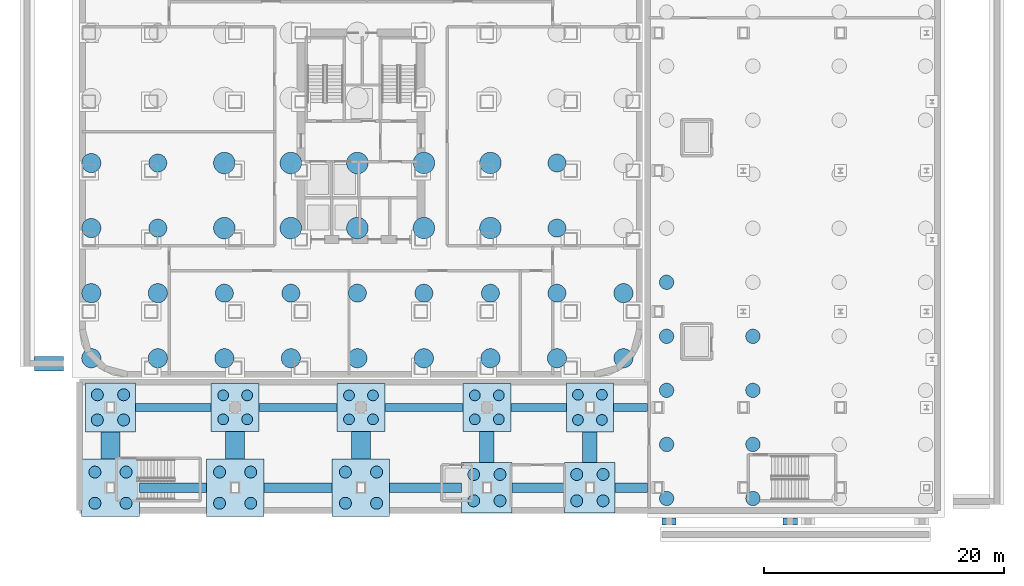
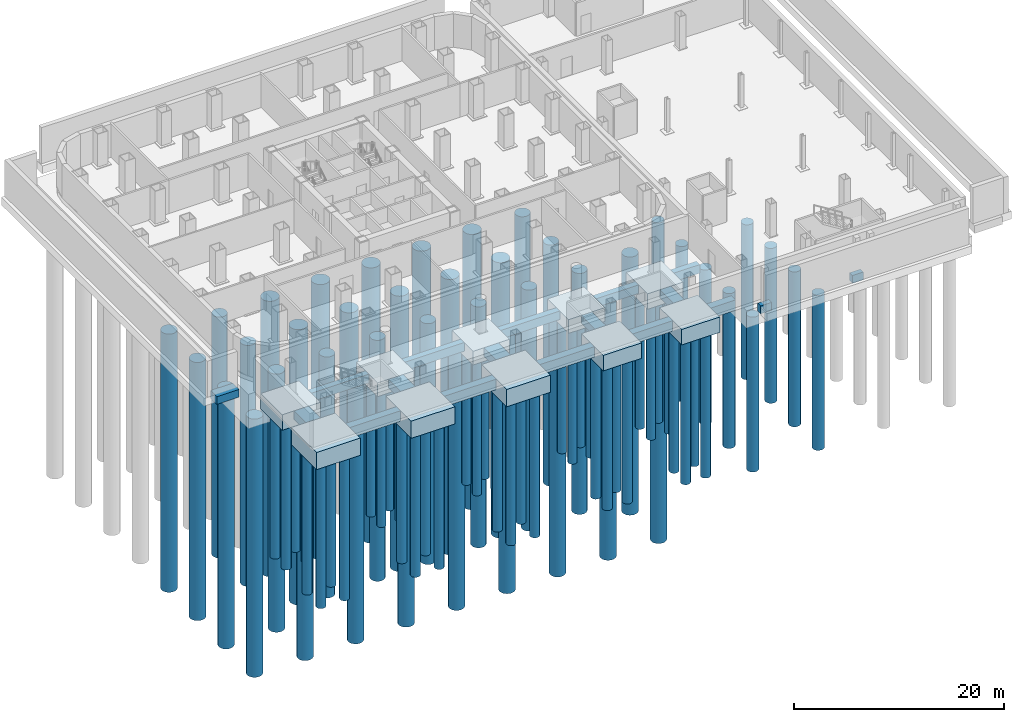
# One storey, part 1 of 16: 83 piles, 28 footings.
"""IFC4 building model written with IfcOpenShell, lengths in metres."""

from ifc_helpers import new_model, si_unit, direction, frame, origin, origin_2d, place, context, subcontext, project, spatial, rectangle, circle, extrude, source, transform, mapped, material, layer, layer_set, material_profile, profile_set, type_object, element, save


model = new_model("IFC4")

# Units and contexts
model_context = context("Model", 3, precision=1e-05, world=origin(), true_north=direction((0.0, 1.0)))
body_context = subcontext(model_context, "Body", "Model", "MODEL_VIEW")
ifc_project = project(units=[si_unit("LENGTHUNIT", "METRE"), si_unit("AREAUNIT", "SQUARE_METRE"), si_unit("VOLUMEUNIT", "CUBIC_METRE"), si_unit("PLANEANGLEUNIT", "RADIAN"), si_unit("MASSUNIT", "GRAM", prefix="KILO")], contexts=[model_context])

# Site, building, storey
site_placement = place(None, origin())
site = spatial("IfcSite", under=ifc_project, at=site_placement, CompositionType="ELEMENT")
building_placement = place(site_placement, origin())
building = spatial("IfcBuilding", under=site, at=building_placement, Name="Kolveth Station Tower", CompositionType="ELEMENT")
storey_placement = place(building_placement, frame((0.0, 0.0, -8.39990234375)))
storey = spatial("IfcBuildingStorey", under=building, at=storey_placement, Name="B2", CompositionType="ELEMENT", Elevation=-8.39990234375)

# Piles
ifc_material_1 = material(Name="Concrete C50/60", Category="concrete")
ifc_material_profile_1 = material_profile(ifc_material_1, circle(Radius=0.800048828125, at=origin_2d()), Name="PILE-D1600")
ifc_profile_set_1 = profile_set([ifc_material_profile_1], Name="Concrete C50/60")
pile_type_1 = type_object("IfcPileType", Name="BoredPile_P2", PredefinedType="BORED", material=ifc_profile_set_1)
shared_shape_1 = source(origin(), body_context, "Body", "SweptSolid", [
    extrude(circle(Radius=0.800048828125, at=origin_2d()), origin(), (0.0, 0.0, 1.0), 30.0),
])
for number, where, z_axis, x_axis, name in (
    (1, (1.0, 1.60009765625, -4.35009765625), (0.0, 0.0, -1.0), (1.0, 0.0, 0.0), "Tower Bored Pile P2-001"),
    (2, (1.0, 7.029052734375, -4.35009765625), (0.0, 0.0, -1.0), (1.0, 0.0, 0.0), "Tower Bored Pile P2-002"),
    (3, (1.0, 12.45703125, -4.35009765625), (0.0, 0.0, -1.0), (1.0, 0.0, 0.0), "Tower Bored Pile P2-003"),
    (4, (1.0, 17.885986328125, -4.35009765625), (0.0, 0.0, -1.0), (1.0, 0.0, 0.0), "Tower Bored Pile P2-004"),
    (5, (6.550048828125, 1.60009765625, -4.35009765625), (0.0, 0.0, -1.0), (1.0, 0.0, 0.0), "Tower Bored Pile P2-009"),
    (6, (6.550048828125, 7.029052734375, -4.35009765625), (0.0, 0.0, -1.0), (1.0, 0.0, 0.0), "Tower Bored Pile P2-010"),
    (7, (12.10009765625, 1.60009765625, -4.35009765625), (0.0, 0.0, -1.0), (1.0, 0.0, 0.0), "Tower Bored Pile P2-017"),
    (8, (17.64990234375, 1.60009765625, -4.35009765625), (0.0, 0.0, -1.0), (1.0, 0.0, 0.0), "Tower Bored Pile P2-025"),
    (9, (23.199951171875, 1.60009765625, -4.35009765625), (0.0, 0.0, -1.0), (1.0, 0.0, 0.0), "Tower Bored Pile P2-033"),
    (10, (28.75, 1.60009765625, -4.35009765625), (0.0, 0.0, -1.0), (1.0, 0.0, 0.0), "Tower Bored Pile P2-041"),
    (11, (34.300048828125, 1.60009765625, -4.35009765625), (0.0, 0.0, -1.0), (1.0, 0.0, 0.0), "Tower Bored Pile P2-049"),
    (12, (39.85009765625, 1.60009765625, -4.35009765625), (0.0, 0.0, -1.0), (1.0, 0.0, 0.0), "Tower Bored Pile P2-057"),
    (13, (45.39990234375, 1.60009765625, -4.35009765625), (0.0, 0.0, -1.0), (1.0, 0.0, 0.0), "Tower Bored Pile P2-065"),
    (14, (45.39990234375, 7.029052734375, -4.35009765625), (0.0, 0.0, -1.0), (1.0, 0.0, 0.0), "Tower Bored Pile P2-066"),
):
    element("IfcPile", number, at=place(storey_placement, frame(where, z_axis=z_axis, x_axis=x_axis)), inside=storey, type_object=pile_type_1, Name=name, PredefinedType="BORED", context=body_context, shape_type="MappedRepresentation", body=[
        mapped(shared_shape_1, transform((0.0, 0.0, 0.0), x_axis=(1.0, 0.0, 0.0), y_axis=(0.0, 1.0, 0.0), z_axis=(0.0, 0.0, 1.0), scale=1.0)),
    ])
ifc_material_profile_2 = material_profile(ifc_material_1, circle(Radius=0.75, at=origin_2d()), Name="PILE-D1500")
ifc_profile_set_2 = profile_set([ifc_material_profile_2], Name="Concrete C50/60")
pile_type_2 = type_object("IfcPileType", Name="BoredPile_P3", PredefinedType="BORED", material=ifc_profile_set_2)
shared_shape_2 = source(origin(), body_context, "Body", "SweptSolid", [
    extrude(circle(Radius=0.75, at=origin_2d()), origin(), (0.0, 0.0, 1.0), 28.0),
])
for number, where, z_axis, x_axis, name in (
    (15, (6.550048828125, 12.45703125, -4.35009765625), (0.0, 0.0, -1.0), (1.0, 0.0, 0.0), "Tower Bored Pile P3-011"),
    (16, (6.550048828125, 17.885986328125, -4.35009765625), (0.0, 0.0, -1.0), (1.0, 0.0, 0.0), "Tower Bored Pile P3-012"),
    (17, (12.10009765625, 7.029052734375, -4.35009765625), (0.0, 0.0, -1.0), (1.0, 0.0, 0.0), "Tower Bored Pile P3-018"),
    (18, (17.64990234375, 7.029052734375, -4.35009765625), (0.0, 0.0, -1.0), (1.0, 0.0, 0.0), "Tower Bored Pile P3-026"),
    (19, (23.199951171875, 7.029052734375, -4.35009765625), (0.0, 0.0, -1.0), (1.0, 0.0, 0.0), "Tower Bored Pile P3-034"),
    (20, (28.75, 7.029052734375, -4.35009765625), (0.0, 0.0, -1.0), (1.0, 0.0, 0.0), "Tower Bored Pile P3-042"),
    (21, (34.300048828125, 7.029052734375, -4.35009765625), (0.0, 0.0, -1.0), (1.0, 0.0, 0.0), "Tower Bored Pile P3-050"),
    (22, (39.85009765625, 7.029052734375, -4.35009765625), (0.0, 0.0, -1.0), (1.0, 0.0, 0.0), "Tower Bored Pile P3-058"),
    (23, (39.85009765625, 12.45703125, -4.35009765625), (0.0, 0.0, -1.0), (1.0, 0.0, 0.0), "Tower Bored Pile P3-059"),
    (24, (39.85009765625, 17.885986328125, -4.35009765625), (0.0, 0.0, -1.0), (1.0, 0.0, 0.0), "Tower Bored Pile P3-060"),
):
    element("IfcPile", number, at=place(storey_placement, frame(where, z_axis=z_axis, x_axis=x_axis)), inside=storey, type_object=pile_type_2, Name=name, PredefinedType="BORED", context=body_context, shape_type="MappedRepresentation", body=[
        mapped(shared_shape_2, transform((0.0, 0.0, 0.0), x_axis=(1.0, 0.0, 0.0), y_axis=(0.0, 1.0, 0.0), z_axis=(0.0, 0.0, 1.0), scale=1.0)),
    ])
ifc_material_profile_3 = material_profile(ifc_material_1, circle(Radius=0.89990234375, at=origin_2d()), Name="PILE-D1800")
ifc_profile_set_3 = profile_set([ifc_material_profile_3], Name="Concrete C50/60")
pile_type_3 = type_object("IfcPileType", Name="BoredPile_P1", PredefinedType="BORED", material=ifc_profile_set_3)
shared_shape_3 = source(origin(), body_context, "Body", "SweptSolid", [
    extrude(circle(Radius=0.89990234375, at=origin_2d()), origin(), (0.0, 0.0, 1.0), 32.0),
])
for number, where, z_axis, x_axis, name in (
    (25, (12.10009765625, 12.45703125, -4.35009765625), (0.0, 0.0, -1.0), (1.0, 0.0, 0.0), "Tower Bored Pile P1-019"),
    (26, (12.10009765625, 17.885986328125, -4.35009765625), (0.0, 0.0, -1.0), (1.0, 0.0, 0.0), "Tower Bored Pile P1-020"),
    (27, (17.64990234375, 12.45703125, -4.35009765625), (0.0, 0.0, -1.0), (1.0, 0.0, 0.0), "Tower Bored Pile P1-027"),
    (28, (17.64990234375, 17.885986328125, -4.35009765625), (0.0, 0.0, -1.0), (1.0, 0.0, 0.0), "Tower Bored Pile P1-028"),
    (29, (23.199951171875, 12.45703125, -4.35009765625), (0.0, 0.0, -1.0), (1.0, 0.0, 0.0), "Tower Bored Pile P1-035"),
    (30, (23.199951171875, 17.885986328125, -4.35009765625), (0.0, 0.0, -1.0), (1.0, 0.0, 0.0), "Tower Bored Pile P1-036"),
    (31, (28.75, 12.45703125, -4.35009765625), (0.0, 0.0, -1.0), (1.0, 0.0, 0.0), "Tower Bored Pile P1-043"),
    (32, (28.75, 17.885986328125, -4.35009765625), (0.0, 0.0, -1.0), (1.0, 0.0, 0.0), "Tower Bored Pile P1-044"),
    (33, (34.300048828125, 12.45703125, -4.35009765625), (0.0, 0.0, -1.0), (1.0, 0.0, 0.0), "Tower Bored Pile P1-051"),
    (34, (34.300048828125, 17.885986328125, -4.35009765625), (0.0, 0.0, -1.0), (1.0, 0.0, 0.0), "Tower Bored Pile P1-052"),
):
    element("IfcPile", number, at=place(storey_placement, frame(where, z_axis=z_axis, x_axis=x_axis)), inside=storey, type_object=pile_type_3, Name=name, PredefinedType="BORED", context=body_context, shape_type="MappedRepresentation", body=[
        mapped(shared_shape_3, transform((0.0, 0.0, 0.0), x_axis=(1.0, 0.0, 0.0), y_axis=(0.0, 1.0, 0.0), z_axis=(0.0, 0.0, 1.0), scale=1.0)),
    ])
ifc_material_2 = material(Name="Concrete C45/55", Category="concrete")
ifc_material_profile_4 = material_profile(ifc_material_2, circle(Radius=0.60009765625, at=origin_2d()), Name="PILE-D1200")
ifc_profile_set_4 = profile_set([ifc_material_profile_4], Name="Concrete C45/55")
pile_type_4 = type_object("IfcPileType", Name="BoredPile_P4", PredefinedType="BORED", material=ifc_profile_set_4)
shared_shape_4 = source(origin(), body_context, "Body", "SweptSolid", [
    extrude(circle(Radius=0.60009765625, at=origin_2d()), origin(), (0.0, 0.0, 1.0), 18.0),
])
for number, where, z_axis, x_axis, name in (
    (35, (49.0, -10.10009765625, -2.35009765625), (0.0, 0.0, -1.0), (1.0, 0.0, 0.0), "Station Raft Pile P4-001"),
    (36, (49.0, -5.591064453125, -2.35009765625), (0.0, 0.0, -1.0), (1.0, 0.0, 0.0), "Station Raft Pile P4-002"),
    (37, (49.0, -1.08203125, -2.35009765625), (0.0, 0.0, -1.0), (1.0, 0.0, 0.0), "Station Raft Pile P4-003"),
    (38, (49.0, 3.427001953125, -2.35009765625), (0.0, 0.0, -1.0), (1.0, 0.0, 0.0), "Station Raft Pile P4-004"),
    (39, (49.0, 7.93603515625, -2.35009765625), (0.0, 0.0, -1.0), (1.0, 0.0, 0.0), "Station Raft Pile P4-005"),
    (40, (56.199951171875, -10.10009765625, -2.35009765625), (0.0, 0.0, -1.0), (1.0, 0.0, 0.0), "Station Raft Pile P4-013"),
    (41, (56.199951171875, -5.591064453125, -2.35009765625), (0.0, 0.0, -1.0), (1.0, 0.0, 0.0), "Station Raft Pile P4-014"),
    (42, (56.199951171875, -1.08203125, -2.35009765625), (0.0, 0.0, -1.0), (1.0, 0.0, 0.0), "Station Raft Pile P4-015"),
    (43, (56.199951171875, 3.427001953125, -2.35009765625), (0.0, 0.0, -1.0), (1.0, 0.0, 0.0), "Station Raft Pile P4-016"),
):
    element("IfcPile", number, at=place(storey_placement, frame(where, z_axis=z_axis, x_axis=x_axis)), inside=storey, type_object=pile_type_4, Name=name, PredefinedType="BORED", context=body_context, shape_type="MappedRepresentation", body=[
        mapped(shared_shape_4, transform((0.0, 0.0, 0.0), x_axis=(1.0, 0.0, 0.0), y_axis=(0.0, 1.0, 0.0), z_axis=(0.0, 0.0, 1.0), scale=1.0)),
    ])

# Footings
ifc_layer_1 = layer(ifc_material_2, 2.0)
ifc_layer_set_1 = layer_set([ifc_layer_1], Name="Concrete C45/55")
footing_type_1 = type_object("IfcFootingType", Name="Footing_PC1", PredefinedType="PILE_CAP", material=ifc_layer_set_1)
shared_shape_5 = source(origin(), body_context, "Body", "SweptSolid", [
    extrude(rectangle(XDim=4.800048828125, YDim=4.800048828125, at=origin_2d()), origin(), (0.0, 0.0, 1.0), 2.0),
])
for number, where, z_axis, x_axis, name in (
    (44, (2.60009765625, -9.199951171875, -2.5), (0.0, 0.0, 1.0), (1.0, 0.0, 0.0), "Station Pile Cap FTG-PC1-1"),
    (45, (13.0, -9.199951171875, -2.5), (0.0, 0.0, 1.0), (1.0, 0.0, 0.0), "Station Pile Cap FTG-PC1-2"),
    (46, (23.5, -9.199951171875, -2.5), (0.0, 0.0, 1.0), (1.0, 0.0, 0.0), "Station Pile Cap FTG-PC1-3"),
):
    element("IfcFooting", number, at=place(storey_placement, frame(where, z_axis=z_axis, x_axis=x_axis)), inside=storey, type_object=footing_type_1, Name=name, PredefinedType="PILE_CAP", context=body_context, shape_type="MappedRepresentation", body=[
        mapped(shared_shape_5, transform((0.0, 0.0, 0.0), x_axis=(1.0, 0.0, 0.0), y_axis=(0.0, 1.0, 0.0), z_axis=(0.0, 0.0, 1.0), scale=1.0)),
    ])

# Piles
ifc_material_profile_5 = material_profile(ifc_material_2, circle(Radius=0.5, at=origin_2d()), Name="PILE-D1000")
ifc_profile_set_5 = profile_set([ifc_material_profile_5], Name="Concrete C45/55")
pile_type_5 = type_object("IfcPileType", Name="BoredPile_P5", PredefinedType="BORED", material=ifc_profile_set_5)
shared_shape_6 = source(origin(), body_context, "Body", "SweptSolid", [
    extrude(circle(Radius=0.5, at=origin_2d()), origin(), (0.0, 0.0, 1.0), 17.0),
])
for number, where, z_axis, x_axis, name in (
    (47, (1.300048828125, -10.5, -2.35009765625), (0.0, 0.0, -1.0), (1.0, 0.0, 0.0), "Station Cap Pile P5-001"),
    (48, (3.89990234375, -10.5, -2.35009765625), (0.0, 0.0, -1.0), (1.0, 0.0, 0.0), "Station Cap Pile P5-002"),
    (49, (1.300048828125, -7.89990234375, -2.35009765625), (0.0, 0.0, -1.0), (1.0, 0.0, 0.0), "Station Cap Pile P5-003"),
    (50, (3.89990234375, -7.89990234375, -2.35009765625), (0.0, 0.0, -1.0), (1.0, 0.0, 0.0), "Station Cap Pile P5-004"),
    (51, (11.699951171875, -10.5, -2.35009765625), (0.0, 0.0, -1.0), (1.0, 0.0, 0.0), "Station Cap Pile P5-005"),
    (52, (14.300048828125, -10.5, -2.35009765625), (0.0, 0.0, -1.0), (1.0, 0.0, 0.0), "Station Cap Pile P5-006"),
    (53, (11.699951171875, -7.89990234375, -2.35009765625), (0.0, 0.0, -1.0), (1.0, 0.0, 0.0), "Station Cap Pile P5-007"),
    (54, (14.300048828125, -7.89990234375, -2.35009765625), (0.0, 0.0, -1.0), (1.0, 0.0, 0.0), "Station Cap Pile P5-008"),
    (55, (22.199951171875, -10.5, -2.35009765625), (0.0, 0.0, -1.0), (1.0, 0.0, 0.0), "Station Cap Pile P5-009"),
    (56, (24.800048828125, -10.5, -2.35009765625), (0.0, 0.0, -1.0), (1.0, 0.0, 0.0), "Station Cap Pile P5-010"),
    (57, (22.199951171875, -7.89990234375, -2.35009765625), (0.0, 0.0, -1.0), (1.0, 0.0, 0.0), "Station Cap Pile P5-011"),
    (58, (24.800048828125, -7.89990234375, -2.35009765625), (0.0, 0.0, -1.0), (1.0, 0.0, 0.0), "Station Cap Pile P5-012"),
    (59, (32.89990234375, -10.300048828125, -2.150146484375), (0.0, 0.0, -1.0), (1.0, 0.0, 0.0), "Station Cap Pile P5-013"),
    (60, (35.10009765625, -10.300048828125, -2.150146484375), (0.0, 0.0, -1.0), (1.0, 0.0, 0.0), "Station Cap Pile P5-014"),
    (61, (32.89990234375, -8.10009765625, -2.150146484375), (0.0, 0.0, -1.0), (1.0, 0.0, 0.0), "Station Cap Pile P5-015"),
    (62, (35.10009765625, -8.10009765625, -2.150146484375), (0.0, 0.0, -1.0), (1.0, 0.0, 0.0), "Station Cap Pile P5-016"),
    (63, (41.5, -10.300048828125, -2.150146484375), (0.0, 0.0, -1.0), (1.0, 0.0, 0.0), "Station Cap Pile P5-017"),
    (64, (43.699951171875, -10.300048828125, -2.150146484375), (0.0, 0.0, -1.0), (1.0, 0.0, 0.0), "Station Cap Pile P5-018"),
    (65, (41.5, -8.10009765625, -2.150146484375), (0.0, 0.0, -1.0), (1.0, 0.0, 0.0), "Station Cap Pile P5-019"),
    (66, (43.699951171875, -8.10009765625, -2.150146484375), (0.0, 0.0, -1.0), (1.0, 0.0, 0.0), "Station Cap Pile P5-020"),
    (67, (1.5, -3.550048828125, -2.150146484375), (0.0, 0.0, -1.0), (1.0, 0.0, 0.0), "Station Cap Pile P5-021"),
    (68, (3.699951171875, -3.550048828125, -2.150146484375), (0.0, 0.0, -1.0), (1.0, 0.0, 0.0), "Station Cap Pile P5-022"),
    (69, (1.5, -1.449951171875, -2.150146484375), (0.0, 0.0, -1.0), (1.0, 0.0, 0.0), "Station Cap Pile P5-023"),
    (70, (3.699951171875, -1.449951171875, -2.150146484375), (0.0, 0.0, -1.0), (1.0, 0.0, 0.0), "Station Cap Pile P5-024"),
):
    element("IfcPile", number, at=place(storey_placement, frame(where, z_axis=z_axis, x_axis=x_axis)), inside=storey, type_object=pile_type_5, Name=name, PredefinedType="BORED", context=body_context, shape_type="MappedRepresentation", body=[
        mapped(shared_shape_6, transform((0.0, 0.0, 0.0), x_axis=(1.0, 0.0, 0.0), y_axis=(0.0, 1.0, 0.0), z_axis=(0.0, 0.0, 1.0), scale=1.0)),
    ])

# Footings
ifc_layer_2 = layer(ifc_material_2, 1.800048828125)
ifc_layer_set_2 = layer_set([ifc_layer_2], Name="Concrete C45/55")
footing_type_2 = type_object("IfcFootingType", Name="Footing_PC2", PredefinedType="PILE_CAP", material=ifc_layer_set_2)
shared_shape_7 = source(origin(), body_context, "Body", "SweptSolid", [
    extrude(rectangle(XDim=4.199951171875, YDim=4.199951171875, at=origin_2d()), origin(), (0.0, 0.0, 1.0), 1.800048828125),
])
for number, where, z_axis, x_axis, name in (
    (71, (34.0, -9.199951171875, -2.30029296875), (0.0, 0.0, 1.0), (1.0, 0.0, 0.0), "Station Pile Cap FTG-PC2-1"),
    (72, (42.60009765625, -9.199951171875, -2.30029296875), (0.0, 0.0, 1.0), (1.0, 0.0, 0.0), "Station Pile Cap FTG-PC2-2"),
):
    element("IfcFooting", number, at=place(storey_placement, frame(where, z_axis=z_axis, x_axis=x_axis)), inside=storey, type_object=footing_type_2, Name=name, PredefinedType="PILE_CAP", context=body_context, shape_type="MappedRepresentation", body=[
        mapped(shared_shape_7, transform((0.0, 0.0, 0.0), x_axis=(1.0, 0.0, 0.0), y_axis=(0.0, 1.0, 0.0), z_axis=(0.0, 0.0, 1.0), scale=1.0)),
    ])
shared_shape_8 = source(origin(), body_context, "Body", "SweptSolid", [
    extrude(rectangle(XDim=4.199951171875, YDim=4.10009765625, at=origin_2d()), origin(), (0.0, 0.0, 1.0), 1.800048828125),
])
footing_1_placement = place(storey_placement, frame((2.60009765625, -2.5, -2.30029296875), z_axis=(0.0, 0.0, 1.0), x_axis=(1.0, 0.0, 0.0)))
element("IfcFooting", 73, at=footing_1_placement, inside=storey, type_object=footing_type_2, Name="Station Pile Cap FTG-PC2-3", PredefinedType="PILE_CAP", context=body_context, shape_type="MappedRepresentation", body=[
    mapped(shared_shape_8, transform((0.0, 0.0, 0.0), x_axis=(1.0, 0.0, 0.0), y_axis=(0.0, 1.0, 0.0), z_axis=(0.0, 0.0, 1.0), scale=1.0)),
])
ifc_layer_3 = layer(ifc_material_2, 1.60009765625)
ifc_layer_set_3 = layer_set([ifc_layer_3], Name="Concrete C45/55")
footing_type_3 = type_object("IfcFootingType", Name="Footing_PC3", PredefinedType="PILE_CAP", material=ifc_layer_set_3)
shared_shape_9 = source(origin(), body_context, "Body", "SweptSolid", [
    extrude(rectangle(XDim=4.0, YDim=4.0, at=origin_2d()), origin(), (0.0, 0.0, 1.0), 1.60009765625),
])
for number, where, z_axis, x_axis, name in (
    (74, (13.0, -2.5, -2.10009765625), (0.0, 0.0, 1.0), (1.0, 0.0, 0.0), "Station Pile Cap FTG-PC3-1"),
    (75, (23.5, -2.5, -2.10009765625), (0.0, 0.0, 1.0), (1.0, 0.0, 0.0), "Station Pile Cap FTG-PC3-2"),
    (76, (34.0, -2.5, -2.10009765625), (0.0, 0.0, 1.0), (1.0, 0.0, 0.0), "Station Pile Cap FTG-PC3-3"),
):
    element("IfcFooting", number, at=place(storey_placement, frame(where, z_axis=z_axis, x_axis=x_axis)), inside=storey, type_object=footing_type_3, Name=name, PredefinedType="PILE_CAP", context=body_context, shape_type="MappedRepresentation", body=[
        mapped(shared_shape_9, transform((0.0, 0.0, 0.0), x_axis=(1.0, 0.0, 0.0), y_axis=(0.0, 1.0, 0.0), z_axis=(0.0, 0.0, 1.0), scale=1.0)),
    ])

# Piles
ifc_material_profile_6 = material_profile(ifc_material_2, circle(Radius=0.449951171875, at=origin_2d()), Name="PILE-D900")
ifc_profile_set_6 = profile_set([ifc_material_profile_6], Name="Concrete C45/55")
pile_type_6 = type_object("IfcPileType", Name="BoredPile_P6", PredefinedType="BORED", material=ifc_profile_set_6)
shared_shape_10 = source(origin(), body_context, "Body", "SweptSolid", [
    extrude(circle(Radius=0.449951171875, at=origin_2d()), origin(), (0.0, 0.0, 1.0), 16.0),
])
for number, where, z_axis, x_axis, name in (
    (77, (12.0, -3.5, -1.9501953125), (0.0, 0.0, -1.0), (1.0, 0.0, 0.0), "Station Cap Pile P6-025"),
    (78, (14.0, -3.5, -1.9501953125), (0.0, 0.0, -1.0), (1.0, 0.0, 0.0), "Station Cap Pile P6-026"),
    (79, (12.0, -1.5, -1.9501953125), (0.0, 0.0, -1.0), (1.0, 0.0, 0.0), "Station Cap Pile P6-027"),
    (80, (14.0, -1.5, -1.9501953125), (0.0, 0.0, -1.0), (1.0, 0.0, 0.0), "Station Cap Pile P6-028"),
    (81, (22.5, -3.5, -1.9501953125), (0.0, 0.0, -1.0), (1.0, 0.0, 0.0), "Station Cap Pile P6-029"),
    (82, (24.5, -3.5, -1.9501953125), (0.0, 0.0, -1.0), (1.0, 0.0, 0.0), "Station Cap Pile P6-030"),
    (83, (22.5, -1.5, -1.9501953125), (0.0, 0.0, -1.0), (1.0, 0.0, 0.0), "Station Cap Pile P6-031"),
    (84, (24.5, -1.5, -1.9501953125), (0.0, 0.0, -1.0), (1.0, 0.0, 0.0), "Station Cap Pile P6-032"),
    (85, (33.0, -3.5, -1.9501953125), (0.0, 0.0, -1.0), (1.0, 0.0, 0.0), "Station Cap Pile P6-033"),
    (86, (35.0, -3.5, -1.9501953125), (0.0, 0.0, -1.0), (1.0, 0.0, 0.0), "Station Cap Pile P6-034"),
    (87, (33.0, -1.5, -1.9501953125), (0.0, 0.0, -1.0), (1.0, 0.0, 0.0), "Station Cap Pile P6-035"),
    (88, (35.0, -1.5, -1.9501953125), (0.0, 0.0, -1.0), (1.0, 0.0, 0.0), "Station Cap Pile P6-036"),
    (89, (41.60009765625, -3.550048828125, -2.150146484375), (0.0, 0.0, -1.0), (1.0, 0.0, 0.0), "Station Cap Pile P6-037"),
    (90, (43.60009765625, -3.550048828125, -2.150146484375), (0.0, 0.0, -1.0), (1.0, 0.0, 0.0), "Station Cap Pile P6-038"),
    (91, (41.60009765625, -1.449951171875, -2.150146484375), (0.0, 0.0, -1.0), (1.0, 0.0, 0.0), "Station Cap Pile P6-039"),
    (92, (43.60009765625, -1.449951171875, -2.150146484375), (0.0, 0.0, -1.0), (1.0, 0.0, 0.0), "Station Cap Pile P6-040"),
):
    element("IfcPile", number, at=place(storey_placement, frame(where, z_axis=z_axis, x_axis=x_axis)), inside=storey, type_object=pile_type_6, Name=name, PredefinedType="BORED", context=body_context, shape_type="MappedRepresentation", body=[
        mapped(shared_shape_10, transform((0.0, 0.0, 0.0), x_axis=(1.0, 0.0, 0.0), y_axis=(0.0, 1.0, 0.0), z_axis=(0.0, 0.0, 1.0), scale=1.0)),
    ])

# Footings
ifc_layer_4 = layer(ifc_material_2, 1.800048828125)
ifc_layer_set_4 = layer_set([ifc_layer_4], Name="Concrete C45/55")
footing_type_4 = type_object("IfcFootingType", Name="Footing_PC4", PredefinedType="PILE_CAP", material=ifc_layer_set_4)
shared_shape_11 = source(origin(), body_context, "Body", "SweptSolid", [
    extrude(rectangle(XDim=3.89990234375, YDim=4.10009765625, at=origin_2d()), origin(), (0.0, 0.0, 1.0), 1.800048828125),
])
footing_2_placement = place(storey_placement, frame((42.60009765625, -2.5, -2.30029296875), z_axis=(0.0, 0.0, 1.0), x_axis=(1.0, 0.0, 0.0)))
element("IfcFooting", 93, at=footing_2_placement, inside=storey, type_object=footing_type_4, Name="Station Pile Cap FTG-PC4-1", PredefinedType="PILE_CAP", context=body_context, shape_type="MappedRepresentation", body=[
    mapped(shared_shape_11, transform((0.0, 0.0, 0.0), x_axis=(1.0, 0.0, 0.0), y_axis=(0.0, 1.0, 0.0), z_axis=(0.0, 0.0, 1.0), scale=1.0)),
])
ifc_material_profile_7 = material_profile(ifc_material_2, rectangle(XDim=0.800048828125, YDim=1.199951171875, at=origin_2d()), Name="RC-800x1200")
ifc_profile_set_7 = profile_set([ifc_material_profile_7], Name="Concrete C45/55")
footing_type_5 = type_object("IfcFootingType", Name="Footing_GB1", PredefinedType="FOOTING_BEAM", material=ifc_profile_set_7)
shared_shape_12 = source(origin(), body_context, "Body", "SweptSolid", [
    extrude(rectangle(XDim=0.800048828125, YDim=1.199951171875, at=origin_2d()), origin(), (0.0, 0.0, 1.0), 5.60009765625),
])
footing_3_placement = place(storey_placement, frame((5.0, -9.199951171875, -1.10009765625), z_axis=(1.0, 0.0, 0.0), x_axis=(0.0, 1.0, 0.0)))
element("IfcFooting", 94, at=footing_3_placement, inside=storey, type_object=footing_type_5, Name="Station Grade Beam R0-1", PredefinedType="FOOTING_BEAM", context=body_context, shape_type="MappedRepresentation", body=[
    mapped(shared_shape_12, transform((0.0, 0.0, 0.0), x_axis=(1.0, 0.0, 0.0), y_axis=(0.0, 1.0, 0.0), z_axis=(0.0, 0.0, 1.0), scale=1.0)),
])
shared_shape_13 = source(origin(), body_context, "Body", "SweptSolid", [
    extrude(rectangle(XDim=0.800048828125, YDim=1.199951171875, at=origin_2d()), origin(), (0.0, 0.0, 1.0), 5.7001953125),
])
footing_4_placement = place(storey_placement, frame((15.39990234375, -9.199951171875, -1.10009765625), z_axis=(1.0, 0.0, 0.0), x_axis=(0.0, 1.0, 0.0)))
element("IfcFooting", 95, at=footing_4_placement, inside=storey, type_object=footing_type_5, Name="Station Grade Beam R0-2", PredefinedType="FOOTING_BEAM", context=body_context, shape_type="MappedRepresentation", body=[
    mapped(shared_shape_13, transform((0.0, 0.0, 0.0), x_axis=(1.0, 0.0, 0.0), y_axis=(0.0, 1.0, 0.0), z_axis=(0.0, 0.0, 1.0), scale=1.0)),
])
shared_shape_14 = source(origin(), body_context, "Body", "SweptSolid", [
    extrude(rectangle(XDim=0.800048828125, YDim=1.199951171875, at=origin_2d()), origin(), (0.0, 0.0, 1.0), 6.0),
])
footing_5_placement = place(storey_placement, frame((25.89990234375, -9.199951171875, -1.10009765625), z_axis=(1.0, 0.0, 0.0), x_axis=(0.0, 1.0, 0.0)))
element("IfcFooting", 96, at=footing_5_placement, inside=storey, type_object=footing_type_5, Name="Station Grade Beam R0-3", PredefinedType="FOOTING_BEAM", context=body_context, shape_type="MappedRepresentation", body=[
    mapped(shared_shape_14, transform((0.0, 0.0, 0.0), x_axis=(1.0, 0.0, 0.0), y_axis=(0.0, 1.0, 0.0), z_axis=(0.0, 0.0, 1.0), scale=1.0)),
])
shared_shape_15 = source(origin(), body_context, "Body", "SweptSolid", [
    extrude(rectangle(XDim=0.800048828125, YDim=1.199951171875, at=origin_2d()), origin(), (0.0, 0.0, 1.0), 4.39990234375),
])
footing_6_placement = place(storey_placement, frame((36.10009765625, -9.199951171875, -1.10009765625), z_axis=(1.0, 0.0, 0.0), x_axis=(0.0, 1.0, 0.0)))
element("IfcFooting", 97, at=footing_6_placement, inside=storey, type_object=footing_type_5, Name="Station Grade Beam R0-4", PredefinedType="FOOTING_BEAM", context=body_context, shape_type="MappedRepresentation", body=[
    mapped(shared_shape_15, transform((0.0, 0.0, 0.0), x_axis=(1.0, 0.0, 0.0), y_axis=(0.0, 1.0, 0.0), z_axis=(0.0, 0.0, 1.0), scale=1.0)),
])
shared_shape_16 = source(origin(), body_context, "Body", "SweptSolid", [
    extrude(rectangle(XDim=0.800048828125, YDim=1.199951171875, at=origin_2d()), origin(), (0.0, 0.0, 1.0), 2.699951171875),
])
footing_7_placement = place(storey_placement, frame((44.699951171875, -9.199951171875, -1.10009765625), z_axis=(1.0, 0.0, 0.0), x_axis=(0.0, 1.0, 0.0)))
element("IfcFooting", 98, at=footing_7_placement, inside=storey, type_object=footing_type_5, Name="Station Grade Beam R0-5", PredefinedType="FOOTING_BEAM", context=body_context, shape_type="MappedRepresentation", body=[
    mapped(shared_shape_16, transform((0.0, 0.0, 0.0), x_axis=(1.0, 0.0, 0.0), y_axis=(0.0, 1.0, 0.0), z_axis=(0.0, 0.0, 1.0), scale=1.0)),
])
ifc_material_profile_8 = material_profile(ifc_material_2, rectangle(XDim=0.64990234375, YDim=1.0, at=origin_2d()), Name="RC-650x1000")
ifc_profile_set_8 = profile_set([ifc_material_profile_8], Name="Concrete C45/55")
footing_type_6 = type_object("IfcFootingType", Name="Footing_GB2", PredefinedType="FOOTING_BEAM", material=ifc_profile_set_8)
shared_shape_17 = source(origin(), body_context, "Body", "SweptSolid", [
    extrude(rectangle(XDim=0.64990234375, YDim=1.0, at=origin_2d()), origin(), (0.0, 0.0, 1.0), 6.300048828125),
])
footing_8_placement = place(storey_placement, frame((4.699951171875, -2.5, -1.0), z_axis=(1.0, 0.0, 0.0), x_axis=(0.0, 1.0, 0.0)))
element("IfcFooting", 99, at=footing_8_placement, inside=storey, type_object=footing_type_6, Name="Station Grade Beam R1-1", PredefinedType="FOOTING_BEAM", context=body_context, shape_type="MappedRepresentation", body=[
    mapped(shared_shape_17, transform((0.0, 0.0, 0.0), x_axis=(1.0, 0.0, 0.0), y_axis=(0.0, 1.0, 0.0), z_axis=(0.0, 0.0, 1.0), scale=1.0)),
])
shared_shape_18 = source(origin(), body_context, "Body", "SweptSolid", [
    extrude(rectangle(XDim=0.64990234375, YDim=1.0, at=origin_2d()), origin(), (0.0, 0.0, 1.0), 6.5),
])
for number, where, z_axis, x_axis, name in (
    (100, (15.0, -2.5, -1.0), (1.0, 0.0, 0.0), (0.0, 1.0, 0.0), "Station Grade Beam R1-2"),
    (101, (25.5, -2.5, -1.0), (1.0, 0.0, 0.0), (0.0, 1.0, 0.0), "Station Grade Beam R1-3"),
):
    element("IfcFooting", number, at=place(storey_placement, frame(where, z_axis=z_axis, x_axis=x_axis)), inside=storey, type_object=footing_type_6, Name=name, PredefinedType="FOOTING_BEAM", context=body_context, shape_type="MappedRepresentation", body=[
        mapped(shared_shape_18, transform((0.0, 0.0, 0.0), x_axis=(1.0, 0.0, 0.0), y_axis=(0.0, 1.0, 0.0), z_axis=(0.0, 0.0, 1.0), scale=1.0)),
    ])
shared_shape_19 = source(origin(), body_context, "Body", "SweptSolid", [
    extrude(rectangle(XDim=0.64990234375, YDim=1.0, at=origin_2d()), origin(), (0.0, 0.0, 1.0), 4.64990234375),
])
footing_9_placement = place(storey_placement, frame((36.0, -2.5, -1.0), z_axis=(1.0, 0.0, 0.0), x_axis=(0.0, 1.0, 0.0)))
element("IfcFooting", 102, at=footing_9_placement, inside=storey, type_object=footing_type_6, Name="Station Grade Beam R1-4", PredefinedType="FOOTING_BEAM", context=body_context, shape_type="MappedRepresentation", body=[
    mapped(shared_shape_19, transform((0.0, 0.0, 0.0), x_axis=(1.0, 0.0, 0.0), y_axis=(0.0, 1.0, 0.0), z_axis=(0.0, 0.0, 1.0), scale=1.0)),
])
shared_shape_20 = source(origin(), body_context, "Body", "SweptSolid", [
    extrude(rectangle(XDim=0.64990234375, YDim=1.0, at=origin_2d()), origin(), (0.0, 0.0, 1.0), 2.849853515625),
])
footing_10_placement = place(storey_placement, frame((44.550048828125, -2.5, -1.0), z_axis=(1.0, 0.0, 0.0), x_axis=(0.0, 1.0, 0.0)))
element("IfcFooting", 103, at=footing_10_placement, inside=storey, type_object=footing_type_6, Name="Station Grade Beam R1-5", PredefinedType="FOOTING_BEAM", context=body_context, shape_type="MappedRepresentation", body=[
    mapped(shared_shape_20, transform((0.0, 0.0, 0.0), x_axis=(1.0, 0.0, 0.0), y_axis=(0.0, 1.0, 0.0), z_axis=(0.0, 0.0, 1.0), scale=1.0)),
])
ifc_material_profile_9 = material_profile(ifc_material_2, rectangle(XDim=1.60009765625, YDim=1.0, at=origin_2d()), Name="RC-1600x1000")
ifc_profile_set_9 = profile_set([ifc_material_profile_9], Name="Concrete C45/55")
footing_type_7 = type_object("IfcFootingType", Name="Footing_SF1", PredefinedType="STRIP_FOOTING", material=ifc_profile_set_9)
shared_shape_21 = source(origin(), body_context, "Body", "SweptSolid", [
    extrude(rectangle(XDim=1.60009765625, YDim=1.0, at=origin_2d()), origin(), (0.0, 0.0, 1.0), 2.25),
])
footing_11_placement = place(storey_placement, frame((2.60009765625, -6.800048828125, -1.0), z_axis=(0.0, 1.0, 0.0), x_axis=(-1.0, 0.0, 0.0)))
element("IfcFooting", 104, at=footing_11_placement, inside=storey, type_object=footing_type_7, Name="Station Strip Footing C1", PredefinedType="STRIP_FOOTING", context=body_context, shape_type="MappedRepresentation", body=[
    mapped(shared_shape_21, transform((0.0, 0.0, 0.0), x_axis=(1.0, 0.0, 0.0), y_axis=(0.0, 1.0, 0.0), z_axis=(0.0, 0.0, 1.0), scale=1.0)),
])
shared_shape_22 = source(origin(), body_context, "Body", "SweptSolid", [
    extrude(rectangle(XDim=1.60009765625, YDim=1.0, at=origin_2d()), origin(), (0.0, 0.0, 1.0), 2.300048828125),
])
for number, where, z_axis, x_axis, name in (
    (105, (13.0, -6.800048828125, -1.0), (0.0, 1.0, 0.0), (-1.0, 0.0, 0.0), "Station Strip Footing C2"),
    (106, (23.5, -6.800048828125, -1.0), (0.0, 1.0, 0.0), (-1.0, 0.0, 0.0), "Station Strip Footing C3"),
):
    element("IfcFooting", number, at=place(storey_placement, frame(where, z_axis=z_axis, x_axis=x_axis)), inside=storey, type_object=footing_type_7, Name=name, PredefinedType="STRIP_FOOTING", context=body_context, shape_type="MappedRepresentation", body=[
        mapped(shared_shape_22, transform((0.0, 0.0, 0.0), x_axis=(1.0, 0.0, 0.0), y_axis=(0.0, 1.0, 0.0), z_axis=(0.0, 0.0, 1.0), scale=1.0)),
    ])
ifc_material_profile_10 = material_profile(ifc_material_2, rectangle(XDim=1.199951171875, YDim=0.89990234375, at=origin_2d()), Name="RC-1200x900")
ifc_profile_set_10 = profile_set([ifc_material_profile_10], Name="Concrete C45/55")
footing_type_8 = type_object("IfcFootingType", Name="Footing_SF2", PredefinedType="STRIP_FOOTING", material=ifc_profile_set_10)
shared_shape_23 = source(origin(), body_context, "Body", "SweptSolid", [
    extrude(rectangle(XDim=1.199951171875, YDim=0.89990234375, at=origin_2d()), origin(), (0.0, 0.0, 1.0), 2.60009765625),
])
footing_12_placement = place(storey_placement, frame((34.0, -7.10009765625, -0.9501953125), z_axis=(0.0, 1.0, 0.0), x_axis=(-1.0, 0.0, 0.0)))
element("IfcFooting", 107, at=footing_12_placement, inside=storey, type_object=footing_type_8, Name="Station Strip Footing C4", PredefinedType="STRIP_FOOTING", context=body_context, shape_type="MappedRepresentation", body=[
    mapped(shared_shape_23, transform((0.0, 0.0, 0.0), x_axis=(1.0, 0.0, 0.0), y_axis=(0.0, 1.0, 0.0), z_axis=(0.0, 0.0, 1.0), scale=1.0)),
])
shared_shape_24 = source(origin(), body_context, "Body", "SweptSolid", [
    extrude(rectangle(XDim=1.199951171875, YDim=0.89990234375, at=origin_2d()), origin(), (0.0, 0.0, 1.0), 2.550048828125),
])
footing_13_placement = place(storey_placement, frame((42.60009765625, -7.10009765625, -0.9501953125), z_axis=(0.0, 1.0, 0.0), x_axis=(-1.0, 0.0, 0.0)))
element("IfcFooting", 108, at=footing_13_placement, inside=storey, type_object=footing_type_8, Name="Station Strip Footing C5", PredefinedType="STRIP_FOOTING", context=body_context, shape_type="MappedRepresentation", body=[
    mapped(shared_shape_24, transform((0.0, 0.0, 0.0), x_axis=(1.0, 0.0, 0.0), y_axis=(0.0, 1.0, 0.0), z_axis=(0.0, 0.0, 1.0), scale=1.0)),
])
shared_shape_25 = source(origin(), body_context, "Body", "SweptSolid", [
    extrude(rectangle(XDim=1.199951171875, YDim=0.89990234375, at=origin_2d()), origin(), (0.0, 0.0, 1.0), 2.449951171875),
])
footing_14_placement = place(storey_placement, frame((-3.75, 1.14990234375, -0.4501953125), z_axis=(1.0, 0.0, 0.0), x_axis=(0.0, 1.0, 0.0)))
element("IfcFooting", 109, at=footing_14_placement, inside=storey, type_object=footing_type_8, Name="Forecourt Retaining Wall Strip Footing 2", PredefinedType="STRIP_FOOTING", context=body_context, shape_type="MappedRepresentation", body=[
    mapped(shared_shape_25, transform((0.0, 0.0, 0.0), x_axis=(1.0, 0.0, 0.0), y_axis=(0.0, 1.0, 0.0), z_axis=(0.0, 0.0, 1.0), scale=1.0)),
])
shared_shape_26 = source(origin(), body_context, "Body", "SweptSolid", [
    extrude(rectangle(XDim=1.199951171875, YDim=0.89990234375, at=origin_2d()), origin(), (0.0, 0.0, 1.0), 0.550048828125),
])
for number, where, z_axis, x_axis, name in (
    (110, (49.199951171875, -12.300048828125, -0.4501953125), (0.0, 1.0, 0.0), (-1.0, 0.0, 0.0), "Forecourt Retaining Wall Strip Footing 9"),
    (111, (59.300048828125, -12.300048828125, -0.4501953125), (0.0, 1.0, 0.0), (-1.0, 0.0, 0.0), "Forecourt Retaining Wall Strip Footing 10"),
):
    element("IfcFooting", number, at=place(storey_placement, frame(where, z_axis=z_axis, x_axis=x_axis)), inside=storey, type_object=footing_type_8, Name=name, PredefinedType="STRIP_FOOTING", context=body_context, shape_type="MappedRepresentation", body=[
        mapped(shared_shape_26, transform((0.0, 0.0, 0.0), x_axis=(1.0, 0.0, 0.0), y_axis=(0.0, 1.0, 0.0), z_axis=(0.0, 0.0, 1.0), scale=1.0)),
    ])

save(model, "model.ifc")
